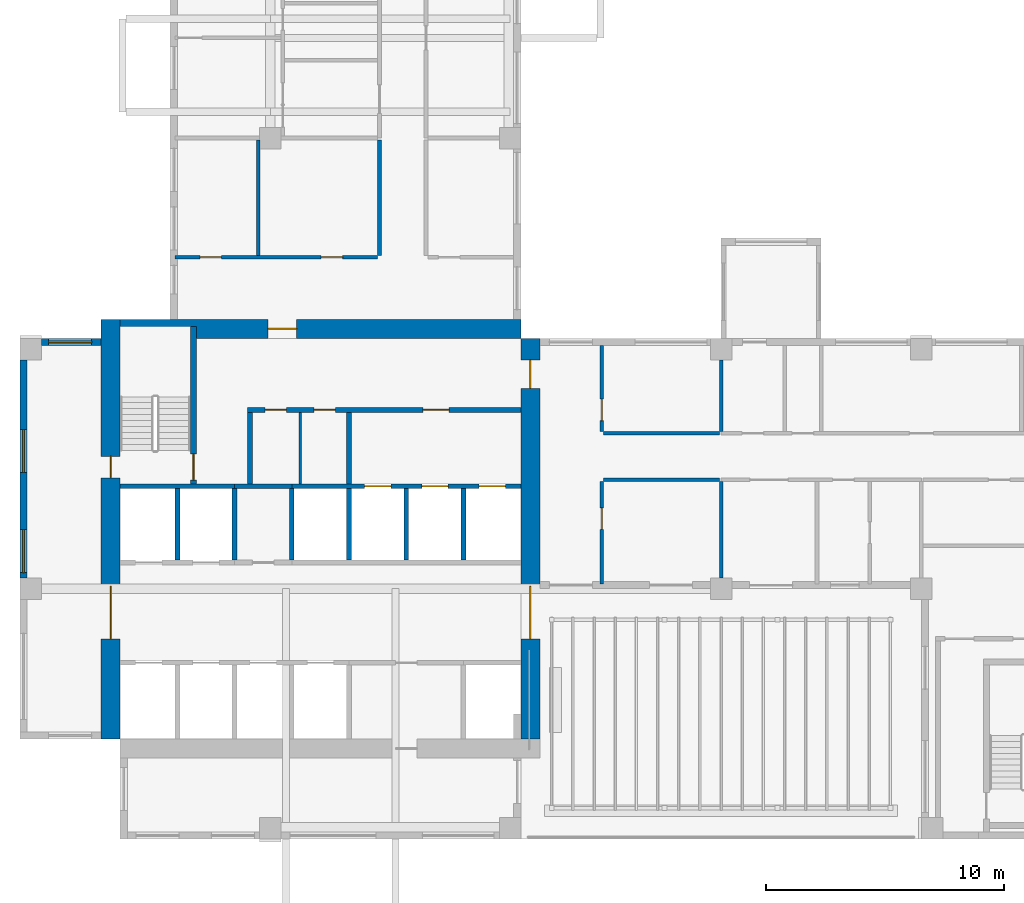
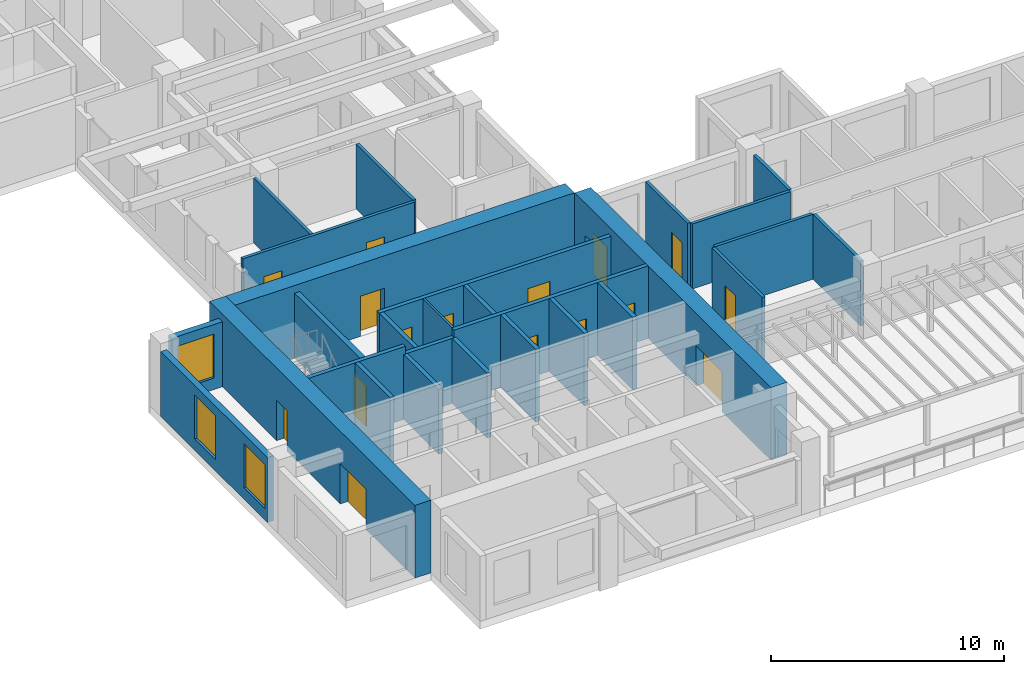
# One storey, part 4 of 13: 28 walls, 16 doors, 3 windows, 19 openings.
"""IFC4 building model written with IfcOpenShell, lengths in metres."""

from ifc_helpers import new_model, si_unit, direction, frame, frame_2d, origin, place, context, subcontext, project, spatial, rectangle, extrude, source, transform, mapped, material, layer, layer_set, type_object, element, fill, save


model = new_model("IFC4")

# Units and contexts
model_context = context("Model", 3, precision=1e-05, world=origin(), true_north=direction((0.0, 1.0)))
body_context = subcontext(model_context, "Body", "Model", "MODEL_VIEW")
ifc_project = project(units=[si_unit("LENGTHUNIT", "METRE"), si_unit("AREAUNIT", "SQUARE_METRE"), si_unit("VOLUMEUNIT", "CUBIC_METRE"), si_unit("PLANEANGLEUNIT", "RADIAN"), si_unit("MASSUNIT", "GRAM", prefix="KILO")], contexts=[model_context])

# Site, building, storey
site_placement = place(None, origin())
site = spatial("IfcSite", under=ifc_project, at=site_placement, CompositionType="ELEMENT")
building_placement = place(site_placement, origin())
building = spatial("IfcBuilding", under=site, at=building_placement, Name="Aurelian Terraces", CompositionType="ELEMENT")
storey_placement = place(building_placement, frame((0.0, 0.0, 204.4)))
storey = spatial("IfcBuildingStorey", under=building, at=storey_placement, Name="L45", CompositionType="ELEMENT", Elevation=204.4)

# Wall, openings, doors
ifc_material_1 = material(Name="Concrete fc' 70 MPa", Category="concrete")
ifc_layer_1 = layer(ifc_material_1, 0.8)
ifc_layer_set_1 = layer_set([ifc_layer_1], Name="CORE WALL 800 FC70")
wall_type_1 = type_object("IfcWallType", Name="CORE WALL 800 FC70", PredefinedType="SHEAR", material=ifc_layer_set_1)
shared_shape_1 = source(origin(), body_context, "Body", "SweptSolid", [
    extrude(rectangle(XDim=17.6, YDim=0.8, at=frame_2d((8.8, 0.0))), origin(), (0.0, 0.0, 1.0), 3.8),
])
wall_1_placement = place(storey_placement, frame((3.8, 4.2, 0.0), z_axis=(0.0, 0.0, 1.0), x_axis=(0.0, 1.0, 0.0)))
wall_1 = element("IfcWall", 1, at=wall_1_placement, inside=storey, type_object=wall_type_1, Name="Core wall W L45", PredefinedType="SHEAR", context=body_context, shape_type="MappedRepresentation", body=[
    mapped(shared_shape_1, transform((0.0, 0.0, 0.0), scale=1.0)),
])
shared_shape_2 = source(origin(), body_context, "Body", "SweptSolid", [
    extrude(rectangle(XDim=2.2, YDim=2.1, at=frame_2d((1.1, 1.05))), frame((0.0, 0.41, 0.0), z_axis=(0.0, -1.0, 0.0), x_axis=(1.0, 0.0, 0.0)), (0.0, 0.0, 1.0), 0.82),
])
opening_1_placement = place(wall_1_placement, frame((4.2, 0.0, 0.0)))
opening_1 = element("IfcOpeningElement", 2, at=opening_1_placement, cuts=wall_1, Name="Opening 64822", PredefinedType="OPENING", context=body_context, shape_type="MappedRepresentation", body=[
    mapped(shared_shape_2, transform((0.0, 0.0, 0.0), scale=1.0)),
])
shared_shape_3 = source(origin(), body_context, "Body", "SweptSolid", [
    extrude(rectangle(XDim=0.9, YDim=2.1, at=frame_2d((0.45, 1.05))), frame((0.0, 0.41, 0.0), z_axis=(0.0, -1.0, 0.0), x_axis=(1.0, 0.0, 0.0)), (0.0, 0.0, 1.0), 0.82),
])
opening_2_placement = place(wall_1_placement, frame((10.95, 0.0, 0.0)))
opening_2 = element("IfcOpeningElement", 3, at=opening_2_placement, cuts=wall_1, Name="Opening 64826", PredefinedType="OPENING", context=body_context, shape_type="MappedRepresentation", body=[
    mapped(shared_shape_3, transform((0.0, 0.0, 0.0), scale=1.0)),
])
ifc_material_2 = material(Name="Steel door leaf", Category="steel")
door_type_1 = type_object("IfcDoorType", Name="Core service door 900x2100 right", OperationType="SINGLE_SWING_RIGHT", PredefinedType="DOOR", material=ifc_material_2)
shared_shape_4 = source(origin(), body_context, "Body", "SweptSolid", [
    extrude(rectangle(XDim=0.9, YDim=2.1, at=frame_2d((0.45, 1.05))), frame((0.0, 0.025, 0.0), z_axis=(0.0, -1.0, 0.0), x_axis=(1.0, 0.0, 0.0)), (0.0, 0.0, 1.0), 0.05),
])
door_1_placement = place(opening_2_placement, origin())
door_1 = element("IfcDoor", 4, at=door_1_placement, inside=storey, type_object=door_type_1, Name="Core door 64826", OperationType="SINGLE_SWING_RIGHT", OverallHeight=2.1, OverallWidth=0.9, PredefinedType="DOOR", context=body_context, shape_type="MappedRepresentation", body=[
    mapped(shared_shape_4, transform((0.0, 0.0, 0.0), scale=1.0)),
])
fill(opening_2, door_1)
door_type_2 = type_object("IfcDoorType", Name="Core double door 2200x2100", OperationType="DOUBLE_DOOR_SINGLE_SWING", PredefinedType="DOOR", material=ifc_material_2)
shared_shape_5 = source(origin(), body_context, "Body", "SweptSolid", [
    extrude(rectangle(XDim=2.2, YDim=2.1, at=frame_2d((1.1, 1.05))), frame((0.0, 0.025, 0.0), z_axis=(0.0, -1.0, 0.0), x_axis=(1.0, 0.0, 0.0)), (0.0, 0.0, 1.0), 0.05),
])
door_2_placement = place(opening_1_placement, origin())
door_2 = element("IfcDoor", 5, at=door_2_placement, inside=storey, type_object=door_type_2, Name="Core door 64822", OperationType="DOUBLE_DOOR_SINGLE_SWING", OverallHeight=2.1, OverallWidth=2.2, PredefinedType="DOOR", context=body_context, shape_type="MappedRepresentation", body=[
    mapped(shared_shape_5, transform((0.0, 0.0, 0.0), scale=1.0)),
])
fill(opening_1, door_2)

shared_shape_6 = source(origin(), body_context, "Body", "SweptSolid", [
    extrude(rectangle(XDim=16.8, YDim=0.8, at=frame_2d((8.4, 0.0))), origin(), (0.0, 0.0, 1.0), 3.8),
])
wall_2_placement = place(storey_placement, frame((21.4, 4.2, 0.0), z_axis=(0.0, 0.0, 1.0), x_axis=(0.0, 1.0, 0.0)))
wall_2 = element("IfcWall", 6, at=wall_2_placement, inside=storey, type_object=wall_type_1, Name="Core wall E L45", PredefinedType="SHEAR", context=body_context, shape_type="MappedRepresentation", body=[
    mapped(shared_shape_6, transform((0.0, 0.0, 0.0), scale=1.0)),
])
opening_3_placement = place(wall_2_placement, frame((4.2, 0.0, 0.0)))
opening_3 = element("IfcOpeningElement", 7, at=opening_3_placement, cuts=wall_2, Name="Opening 64821", PredefinedType="OPENING", context=body_context, shape_type="MappedRepresentation", body=[
    mapped(shared_shape_2, transform((0.0, 0.0, 0.0), scale=1.0)),
])
shared_shape_7 = source(origin(), body_context, "Body", "SweptSolid", [
    extrude(rectangle(XDim=1.2, YDim=2.1, at=frame_2d((0.6, 1.05))), frame((0.0, 0.41, 0.0), z_axis=(0.0, -1.0, 0.0), x_axis=(1.0, 0.0, 0.0)), (0.0, 0.0, 1.0), 0.82),
])
opening_4_placement = place(wall_2_placement, frame((14.7, 0.0, 0.0)))
opening_4 = element("IfcOpeningElement", 8, at=opening_4_placement, cuts=wall_2, Name="Opening 64824", PredefinedType="OPENING", context=body_context, shape_type="MappedRepresentation", body=[
    mapped(shared_shape_7, transform((0.0, 0.0, 0.0), scale=1.0)),
])
door_type_3 = type_object("IfcDoorType", Name="Core fire door 1200x2100 right", OperationType="SINGLE_SWING_RIGHT", PredefinedType="DOOR", material=ifc_material_2)
shared_shape_8 = source(origin(), body_context, "Body", "SweptSolid", [
    extrude(rectangle(XDim=1.2, YDim=2.1, at=frame_2d((0.6, 1.05))), frame((0.0, 0.025, 0.0), z_axis=(0.0, -1.0, 0.0), x_axis=(1.0, 0.0, 0.0)), (0.0, 0.0, 1.0), 0.05),
])
door_3_placement = place(opening_4_placement, origin())
door_3 = element("IfcDoor", 9, at=door_3_placement, inside=storey, type_object=door_type_3, Name="Core door 64824", OperationType="SINGLE_SWING_RIGHT", OverallHeight=2.1, OverallWidth=1.2, PredefinedType="DOOR", context=body_context, shape_type="MappedRepresentation", body=[
    mapped(shared_shape_8, transform((0.0, 0.0, 0.0), scale=1.0)),
])
fill(opening_4, door_3)
door_4_placement = place(opening_3_placement, origin())
door_4 = element("IfcDoor", 10, at=door_4_placement, inside=storey, type_object=door_type_2, Name="Core door 64821", OperationType="DOUBLE_DOOR_SINGLE_SWING", OverallHeight=2.1, OverallWidth=2.2, PredefinedType="DOOR", context=body_context, shape_type="MappedRepresentation", body=[
    mapped(shared_shape_5, transform((0.0, 0.0, 0.0), scale=1.0)),
])
fill(opening_3, door_4)

# Wall, opening, door
wall_3_placement = place(storey_placement, frame((4.2, 21.4, 0.0), z_axis=(0.0, 0.0, 1.0), x_axis=(1.0, 0.0, 0.0)))
wall_3 = element("IfcWall", 11, at=wall_3_placement, inside=storey, type_object=wall_type_1, Name="Core wall N L45", PredefinedType="SHEAR", context=body_context, shape_type="MappedRepresentation", body=[
    mapped(shared_shape_6, transform((0.0, 0.0, 0.0), scale=1.0)),
])
opening_5_placement = place(wall_3_placement, frame((6.2, 0.0, 0.0)))
opening_5 = element("IfcOpeningElement", 12, at=opening_5_placement, cuts=wall_3, Name="Opening 64823", PredefinedType="OPENING", context=body_context, shape_type="MappedRepresentation", body=[
    mapped(shared_shape_7, transform((0.0, 0.0, 0.0), scale=1.0)),
])
door_type_4 = type_object("IfcDoorType", Name="Core fire door 1200x2100", OperationType="SINGLE_SWING_LEFT", PredefinedType="DOOR", material=ifc_material_2)
door_5_placement = place(opening_5_placement, origin())
door_5 = element("IfcDoor", 13, at=door_5_placement, inside=storey, type_object=door_type_4, Name="Core door 64823", OperationType="SINGLE_SWING_LEFT", OverallHeight=2.1, OverallWidth=1.2, PredefinedType="DOOR", context=body_context, shape_type="MappedRepresentation", body=[
    mapped(shared_shape_8, transform((0.0, 0.0, 0.0), scale=1.0)),
])
fill(opening_5, door_5)

# Wall, opening, window
ifc_material_3 = material(Name="Terracotta rainscreen cladding", Category="masonry")
ifc_layer_2 = layer(ifc_material_3, 0.3)
ifc_layer_set_2 = layer_set([ifc_layer_2], Name="EW-300")
wall_type_2 = type_object("IfcWallType", Name="EW-300", PredefinedType="STANDARD", material=ifc_layer_set_2)
shared_shape_9 = source(origin(), body_context, "Body", "SweptSolid", [
    extrude(rectangle(XDim=2.5, YDim=0.3, at=frame_2d((1.25, 0.0))), origin(), (0.0, 0.0, 1.0), 3.4),
])
wall_4_placement = place(storey_placement, frame((3.4, 20.85, 0.0), z_axis=(0.0, 0.0, 1.0), x_axis=(-1.0, 0.0, 0.0)))
wall_4 = element("IfcWall", 14, at=wall_4_placement, inside=storey, type_object=wall_type_2, Name="External wall L45 F23.35", PredefinedType="STANDARD", context=body_context, shape_type="MappedRepresentation", body=[
    mapped(shared_shape_9, transform((0.0, 0.0, 0.0), scale=1.0)),
])
shared_shape_10 = source(origin(), body_context, "Body", "SweptSolid", [
    extrude(rectangle(XDim=1.8, YDim=2.3, at=frame_2d((0.9, 1.15))), frame((0.0, 0.16, 0.0), z_axis=(0.0, -1.0, 0.0), x_axis=(1.0, 0.0, 0.0)), (0.0, 0.0, 1.0), 0.32),
])
opening_6_placement = place(wall_4_placement, frame((0.4, 0.0, 0.6)))
opening_6 = element("IfcOpeningElement", 15, at=opening_6_placement, cuts=wall_4, Name="Opening W1823", PredefinedType="OPENING", context=body_context, shape_type="MappedRepresentation", body=[
    mapped(shared_shape_10, transform((0.0, 0.0, 0.0), scale=1.0)),
])
ifc_material_4 = material(Name="Clear glazing", Category="glass")
window_type = type_object("IfcWindowType", Name="W-1800x2300", PartitioningType="SINGLE_PANEL", PredefinedType="WINDOW", material=ifc_material_4)
shared_shape_11 = source(origin(), body_context, "Body", "SweptSolid", [
    extrude(rectangle(XDim=1.8, YDim=2.3, at=frame_2d((0.9, 1.15))), frame((0.0, 0.03, 0.0), z_axis=(0.0, -1.0, 0.0), x_axis=(1.0, 0.0, 0.0)), (0.0, 0.0, 1.0), 0.06),
])
window_1_placement = place(opening_6_placement, origin())
window_1 = element("IfcWindow", 16, at=window_1_placement, inside=storey, type_object=window_type, Name="Window L45 L45-F23-35-0", OverallHeight=2.3, OverallWidth=1.8, PartitioningType="SINGLE_PANEL", PredefinedType="WINDOW", context=body_context, shape_type="MappedRepresentation", body=[
    mapped(shared_shape_11, transform((0.0, 0.0, 0.0), scale=1.0)),
])
fill(opening_6, window_1)

# Wall, openings, windows
shared_shape_12 = source(origin(), body_context, "Body", "SweptSolid", [
    extrude(rectangle(XDim=9.15, YDim=0.3, at=frame_2d((4.575, 0.0))), origin(), (0.0, 0.0, 1.0), 3.4),
])
wall_5_placement = place(storey_placement, frame((0.15, 20.1, 0.0), z_axis=(0.0, 0.0, 1.0), x_axis=(0.0, -1.0, 0.0)))
wall_5 = element("IfcWall", 17, at=wall_5_placement, inside=storey, type_object=wall_type_2, Name="External wall L45 F24.36", PredefinedType="STANDARD", context=body_context, shape_type="MappedRepresentation", body=[
    mapped(shared_shape_12, transform((0.0, 0.0, 0.0), scale=1.0)),
])
opening_7_placement = place(wall_5_placement, frame((2.925, 0.0, 0.6)))
opening_7 = element("IfcOpeningElement", 18, at=opening_7_placement, cuts=wall_5, Name="Opening W1823", PredefinedType="OPENING", context=body_context, shape_type="MappedRepresentation", body=[
    mapped(shared_shape_10, transform((0.0, 0.0, 0.0), scale=1.0)),
])
opening_8_placement = place(wall_5_placement, frame((7.125, 0.0, 0.6)))
opening_8 = element("IfcOpeningElement", 19, at=opening_8_placement, cuts=wall_5, Name="Opening W1823", PredefinedType="OPENING", context=body_context, shape_type="MappedRepresentation", body=[
    mapped(shared_shape_10, transform((0.0, 0.0, 0.0), scale=1.0)),
])
window_2_placement = place(opening_7_placement, origin())
window_2 = element("IfcWindow", 20, at=window_2_placement, inside=storey, type_object=window_type, Name="Window L45 L45-F24-36-1", OverallHeight=2.3, OverallWidth=1.8, PartitioningType="SINGLE_PANEL", PredefinedType="WINDOW", context=body_context, shape_type="MappedRepresentation", body=[
    mapped(shared_shape_11, transform((0.0, 0.0, 0.0), scale=1.0)),
])
fill(opening_7, window_2)
window_3_placement = place(opening_8_placement, origin())
window_3 = element("IfcWindow", 21, at=window_3_placement, inside=storey, type_object=window_type, Name="Window L45 L45-F24-36-2", OverallHeight=2.3, OverallWidth=1.8, PartitioningType="SINGLE_PANEL", PredefinedType="WINDOW", context=body_context, shape_type="MappedRepresentation", body=[
    mapped(shared_shape_11, transform((0.0, 0.0, 0.0), scale=1.0)),
])
fill(opening_8, window_3)

# Walls
ifc_material_5 = material(Name="Concrete fc' 40 MPa", Category="concrete")
ifc_layer_3 = layer(ifc_material_5, 0.2)
ifc_layer_set_3 = layer_set([ifc_layer_3], Name="Lift shaft wall 200")
wall_type_3 = type_object("IfcWallType", Name="Lift shaft wall 200", PredefinedType="SOLIDWALL", material=ifc_layer_set_3)
shared_shape_13 = source(origin(), body_context, "Body", "SweptSolid", [
    extrude(rectangle(XDim=3.0, YDim=0.2, at=frame_2d((1.5, 0.0))), origin(), (0.0, 0.0, 1.0), 3.4),
])
for number, where, z_axis, x_axis, name in (
    (22, (9.0, 11.7, 0.0), (0.0, 0.0, 1.0), (0.0, 1.0, 0.0), "L45 core wall CD-B2"),
    (23, (11.4, 11.7, 0.0), (0.0, 0.0, 1.0), (0.0, 1.0, 0.0), "L45 core wall CD-B3"),
):
    element("IfcWall", number, at=place(storey_placement, frame(where, z_axis=z_axis, x_axis=x_axis)), inside=storey, type_object=wall_type_3, Name=name, PredefinedType="SOLIDWALL", context=body_context, shape_type="MappedRepresentation", body=[
        mapped(shared_shape_13, transform((0.0, 0.0, 0.0), scale=1.0)),
    ])
shared_shape_14 = source(origin(), body_context, "Body", "SweptSolid", [
    extrude(rectangle(XDim=3.0, YDim=0.2, at=frame_2d((1.5, 0.0))), origin(), (0.0, 0.0, 1.0), 3.8),
])
for number, where, z_axis, x_axis, name in (
    (24, (6.6, 11.7, 0.0), (0.0, 0.0, 1.0), (0.0, 1.0, 0.0), "L45 core wall CD-B1"),
    (25, (13.8, 11.7, 0.0), (0.0, 0.0, 1.0), (0.0, 1.0, 0.0), "L45 core wall CD-B4"),
    (26, (16.2, 11.7, 0.0), (0.0, 0.0, 1.0), (0.0, 1.0, 0.0), "L45 core wall CD-B5"),
    (27, (18.6, 11.7, 0.0), (0.0, 0.0, 1.0), (0.0, 1.0, 0.0), "L45 core wall CD-B6"),
):
    element("IfcWall", number, at=place(storey_placement, frame(where, z_axis=z_axis, x_axis=x_axis)), inside=storey, type_object=wall_type_3, Name=name, PredefinedType="SOLIDWALL", context=body_context, shape_type="MappedRepresentation", body=[
        mapped(shared_shape_14, transform((0.0, 0.0, 0.0), scale=1.0)),
    ])

# Wall, openings, doors
shared_shape_15 = source(origin(), body_context, "Body", "SweptSolid", [
    extrude(rectangle(XDim=9.6, YDim=0.2, at=frame_2d((4.8, 0.0))), origin(), (0.0, 0.0, 1.0), 3.8),
])
wall_6_placement = place(storey_placement, frame((11.4, 14.8, 0.0), z_axis=(0.0, 0.0, 1.0), x_axis=(1.0, 0.0, 0.0)))
wall_6 = element("IfcWall", 28, at=wall_6_placement, inside=storey, type_object=wall_type_3, Name="L45 core wall CF-BB3", PredefinedType="SOLIDWALL", context=body_context, shape_type="MappedRepresentation", body=[
    mapped(shared_shape_15, transform((0.0, 0.0, 0.0), scale=1.0)),
])
shared_shape_16 = source(origin(), body_context, "Body", "SweptSolid", [
    extrude(rectangle(XDim=1.1, YDim=2.1, at=frame_2d((0.55, 1.05))), frame((0.0, 0.11, 0.0), z_axis=(0.0, -1.0, 0.0), x_axis=(1.0, 0.0, 0.0)), (0.0, 0.0, 1.0), 0.22),
])
opening_9_placement = place(wall_6_placement, frame((3.05, 0.0, 0.0)))
opening_9 = element("IfcOpeningElement", 29, at=opening_9_placement, cuts=wall_6, Name="Opening 64808", PredefinedType="OPENING", context=body_context, shape_type="MappedRepresentation", body=[
    mapped(shared_shape_16, transform((0.0, 0.0, 0.0), scale=1.0)),
])
opening_10_placement = place(wall_6_placement, frame((5.45, 0.0, 0.0)))
opening_10 = element("IfcOpeningElement", 30, at=opening_10_placement, cuts=wall_6, Name="Opening 64809", PredefinedType="OPENING", context=body_context, shape_type="MappedRepresentation", body=[
    mapped(shared_shape_16, transform((0.0, 0.0, 0.0), scale=1.0)),
])
opening_11_placement = place(wall_6_placement, frame((7.85, 0.0, 0.0)))
opening_11 = element("IfcOpeningElement", 31, at=opening_11_placement, cuts=wall_6, Name="Opening 64810", PredefinedType="OPENING", context=body_context, shape_type="MappedRepresentation", body=[
    mapped(shared_shape_16, transform((0.0, 0.0, 0.0), scale=1.0)),
])
ifc_material_6 = material(Name="Stainless steel", Category="steel")
door_type_5 = type_object("IfcDoorType", Name="Lift landing door 1100x2100", OperationType="SLIDING_TO_LEFT", PredefinedType="DOOR", material=ifc_material_6)
shared_shape_17 = source(origin(), body_context, "Body", "SweptSolid", [
    extrude(rectangle(XDim=1.1, YDim=2.1, at=frame_2d((0.55, 1.05))), frame((0.0, 0.025, 0.0), z_axis=(0.0, -1.0, 0.0), x_axis=(1.0, 0.0, 0.0)), (0.0, 0.0, 1.0), 0.05),
])
door_6_placement = place(opening_9_placement, origin())
door_6 = element("IfcDoor", 32, at=door_6_placement, inside=storey, type_object=door_type_5, Name="Lift landing door F1 L45", OperationType="SLIDING_TO_LEFT", OverallHeight=2.1, OverallWidth=1.1, PredefinedType="DOOR", context=body_context, shape_type="MappedRepresentation", body=[
    mapped(shared_shape_17, transform((0.0, 0.0, 0.0), scale=1.0)),
])
fill(opening_9, door_6)
door_7_placement = place(opening_10_placement, origin())
door_7 = element("IfcDoor", 33, at=door_7_placement, inside=storey, type_object=door_type_5, Name="Lift landing door F2 L45", OperationType="SLIDING_TO_LEFT", OverallHeight=2.1, OverallWidth=1.1, PredefinedType="DOOR", context=body_context, shape_type="MappedRepresentation", body=[
    mapped(shared_shape_17, transform((0.0, 0.0, 0.0), scale=1.0)),
])
fill(opening_10, door_7)
door_8_placement = place(opening_11_placement, origin())
door_8 = element("IfcDoor", 34, at=door_8_placement, inside=storey, type_object=door_type_5, Name="Lift landing door F3 L45", OperationType="SLIDING_TO_LEFT", OverallHeight=2.1, OverallWidth=1.1, PredefinedType="DOOR", context=body_context, shape_type="MappedRepresentation", body=[
    mapped(shared_shape_17, transform((0.0, 0.0, 0.0), scale=1.0)),
])
fill(opening_11, door_8)

# Walls
shared_shape_18 = source(origin(), body_context, "Body", "SweptSolid", [
    extrude(rectangle(XDim=4.8, YDim=0.2, at=frame_2d((2.4, 0.0))), origin(), (0.0, 0.0, 1.0), 3.8),
])
wall_7_placement = place(storey_placement, frame((4.2, 14.8, 0.0), z_axis=(0.0, 0.0, 1.0), x_axis=(1.0, 0.0, 0.0)))
element("IfcWall", 35, at=wall_7_placement, inside=storey, type_object=wall_type_3, Name="L45 core wall CF-BB1", PredefinedType="SOLIDWALL", context=body_context, shape_type="MappedRepresentation", body=[
    mapped(shared_shape_18, transform((0.0, 0.0, 0.0), scale=1.0)),
])
shared_shape_19 = source(origin(), body_context, "Body", "SweptSolid", [
    extrude(rectangle(XDim=2.4, YDim=0.2, at=frame_2d((1.2, 0.0))), origin(), (0.0, 0.0, 1.0), 3.4),
])
wall_8_placement = place(storey_placement, frame((9.0, 14.8, 0.0), z_axis=(0.0, 0.0, 1.0), x_axis=(1.0, 0.0, 0.0)))
element("IfcWall", 36, at=wall_8_placement, inside=storey, type_object=wall_type_3, Name="L45 core wall CF-BB2", PredefinedType="SOLIDWALL", context=body_context, shape_type="MappedRepresentation", body=[
    mapped(shared_shape_19, transform((0.0, 0.0, 0.0), scale=1.0)),
])
ifc_material_7 = material(Name="Gypsum board on steel studs", Category="steel")
ifc_layer_4 = layer(ifc_material_7, 0.2)
ifc_layer_set_4 = layer_set([ifc_layer_4], Name="Core partition 200")
wall_type_4 = type_object("IfcWallType", Name="Core partition 200", PredefinedType="PARTITIONING", material=ifc_layer_set_4)
shared_shape_20 = source(origin(), body_context, "Body", "SweptSolid", [
    extrude(rectangle(XDim=3.0, YDim=0.2, at=frame_2d((1.5, 0.0))), origin(), (0.0, 0.0, 1.0), 3.4),
])
for number, where, z_axis, x_axis, name in (
    (37, (9.65, 14.9, 0.0), (0.0, 0.0, 1.0), (0.0, 1.0, 0.0), "L45 core wall CP-VEST"),
    (38, (13.8, 14.9, 0.0), (0.0, 0.0, 1.0), (0.0, 1.0, 0.0), "L45 core wall CP-FFL"),
):
    element("IfcWall", number, at=place(storey_placement, frame(where, z_axis=z_axis, x_axis=x_axis)), inside=storey, type_object=wall_type_4, Name=name, PredefinedType="PARTITIONING", context=body_context, shape_type="MappedRepresentation", body=[
        mapped(shared_shape_20, transform((0.0, 0.0, 0.0), scale=1.0)),
    ])
ifc_layer_5 = layer(ifc_material_7, 0.1)
ifc_layer_set_5 = layer_set([ifc_layer_5], Name="Core partition 100")
wall_type_5 = type_object("IfcWallType", Name="Core partition 100", PredefinedType="PARTITIONING", material=ifc_layer_set_5)
shared_shape_21 = source(origin(), body_context, "Body", "SweptSolid", [
    extrude(rectangle(XDim=3.0, YDim=0.1, at=frame_2d((1.5, 0.0))), origin(), (0.0, 0.0, 1.0), 3.4),
])
wall_9_placement = place(storey_placement, frame((11.75, 14.9, 0.0), z_axis=(0.0, 0.0, 1.0), x_axis=(0.0, 1.0, 0.0)))
element("IfcWall", 39, at=wall_9_placement, inside=storey, type_object=wall_type_5, Name="L45 core wall CP-SV1", PredefinedType="PARTITIONING", context=body_context, shape_type="MappedRepresentation", body=[
    mapped(shared_shape_21, transform((0.0, 0.0, 0.0), scale=1.0)),
])

# Wall, opening, door
ifc_layer_6 = layer(ifc_material_5, 0.25)
ifc_layer_set_6 = layer_set([ifc_layer_6], Name="Stair enclosure wall 250")
wall_type_6 = type_object("IfcWallType", Name="Stair enclosure wall 250", PredefinedType="SOLIDWALL", material=ifc_layer_set_6)
shared_shape_22 = source(origin(), body_context, "Body", "SweptSolid", [
    extrude(rectangle(XDim=6.6, YDim=0.25, at=frame_2d((3.3, 0.0))), origin(), (0.0, 0.0, 1.0), 3.4),
])
wall_10_placement = place(storey_placement, frame((7.275, 14.9, 0.0), z_axis=(0.0, 0.0, 1.0), x_axis=(0.0, 1.0, 0.0)))
wall_10 = element("IfcWall", 40, at=wall_10_placement, inside=storey, type_object=wall_type_6, Name="L45 core wall ST-S1-E", PredefinedType="SOLIDWALL", context=body_context, shape_type="MappedRepresentation", body=[
    mapped(shared_shape_22, transform((0.0, 0.0, 0.0), scale=1.0)),
])
shared_shape_23 = source(origin(), body_context, "Body", "SweptSolid", [
    extrude(rectangle(XDim=1.1, YDim=2.1, at=frame_2d((0.55, 1.05))), frame((0.0, 0.135, 0.0), z_axis=(0.0, -1.0, 0.0), x_axis=(1.0, 0.0, 0.0)), (0.0, 0.0, 1.0), 0.27),
])
opening_12_placement = place(wall_10_placement, frame((0.15, 0.0, 0.0)))
opening_12 = element("IfcOpeningElement", 41, at=opening_12_placement, cuts=wall_10, Name="Opening 64811", PredefinedType="OPENING", context=body_context, shape_type="MappedRepresentation", body=[
    mapped(shared_shape_23, transform((0.0, 0.0, 0.0), scale=1.0)),
])
door_type_6 = type_object("IfcDoorType", Name="Core fire door 1100x2100 right", OperationType="SINGLE_SWING_RIGHT", PredefinedType="DOOR", material=ifc_material_2)
door_9_placement = place(opening_12_placement, origin())
door_9 = element("IfcDoor", 42, at=door_9_placement, inside=storey, type_object=door_type_6, Name="Stair door 64811", OperationType="SINGLE_SWING_RIGHT", OverallHeight=2.1, OverallWidth=1.1, PredefinedType="DOOR", context=body_context, shape_type="MappedRepresentation", body=[
    mapped(shared_shape_17, transform((0.0, 0.0, 0.0), scale=1.0)),
])
fill(opening_12, door_9)

# Wall, openings, doors
shared_shape_24 = source(origin(), body_context, "Body", "SweptSolid", [
    extrude(rectangle(XDim=11.45, YDim=0.2, at=frame_2d((5.725, 0.0))), origin(), (0.0, 0.0, 1.0), 3.4),
])
wall_11_placement = place(storey_placement, frame((9.55, 18.0, 0.0), z_axis=(0.0, 0.0, 1.0), x_axis=(1.0, 0.0, 0.0)))
wall_11 = element("IfcWall", 43, at=wall_11_placement, inside=storey, type_object=wall_type_4, Name="L45 core wall CP-NORTH", PredefinedType="PARTITIONING", context=body_context, shape_type="MappedRepresentation", body=[
    mapped(shared_shape_24, transform((0.0, 0.0, 0.0), scale=1.0)),
])
shared_shape_25 = source(origin(), body_context, "Body", "SweptSolid", [
    extrude(rectangle(XDim=0.9, YDim=2.1, at=frame_2d((0.45, 1.05))), frame((0.0, 0.11, 0.0), z_axis=(0.0, -1.0, 0.0), x_axis=(1.0, 0.0, 0.0)), (0.0, 0.0, 1.0), 0.22),
])
opening_13_placement = place(wall_11_placement, frame((0.725, 0.0, 0.0)))
opening_13 = element("IfcOpeningElement", 44, at=opening_13_placement, cuts=wall_11, Name="Opening 64812", PredefinedType="OPENING", context=body_context, shape_type="MappedRepresentation", body=[
    mapped(shared_shape_25, transform((0.0, 0.0, 0.0), scale=1.0)),
])
opening_14_placement = place(wall_11_placement, frame((2.775, 0.0, 0.0)))
opening_14 = element("IfcOpeningElement", 45, at=opening_14_placement, cuts=wall_11, Name="Opening 64813", PredefinedType="OPENING", context=body_context, shape_type="MappedRepresentation", body=[
    mapped(shared_shape_25, transform((0.0, 0.0, 0.0), scale=1.0)),
])
opening_15_placement = place(wall_11_placement, frame((7.35, 0.0, 0.0)))
opening_15 = element("IfcOpeningElement", 46, at=opening_15_placement, cuts=wall_11, Name="Opening 64814", PredefinedType="OPENING", context=body_context, shape_type="MappedRepresentation", body=[
    mapped(shared_shape_16, transform((0.0, 0.0, 0.0), scale=1.0)),
])
door_type_7 = type_object("IfcDoorType", Name="Core service door 900x2100", OperationType="SINGLE_SWING_LEFT", PredefinedType="DOOR", material=ifc_material_2)
door_10_placement = place(opening_13_placement, origin())
door_10 = element("IfcDoor", 47, at=door_10_placement, inside=storey, type_object=door_type_7, Name="Room door 64812", OperationType="SINGLE_SWING_LEFT", OverallHeight=2.1, OverallWidth=0.9, PredefinedType="DOOR", context=body_context, shape_type="MappedRepresentation", body=[
    mapped(shared_shape_4, transform((0.0, 0.0, 0.0), scale=1.0)),
])
fill(opening_13, door_10)
door_11_placement = place(opening_14_placement, origin())
door_11 = element("IfcDoor", 48, at=door_11_placement, inside=storey, type_object=door_type_1, Name="Room door 64813", OperationType="SINGLE_SWING_RIGHT", OverallHeight=2.1, OverallWidth=0.9, PredefinedType="DOOR", context=body_context, shape_type="MappedRepresentation", body=[
    mapped(shared_shape_4, transform((0.0, 0.0, 0.0), scale=1.0)),
])
fill(opening_14, door_11)
door_type_8 = type_object("IfcDoorType", Name="Core fire door 1100x2100", OperationType="SINGLE_SWING_LEFT", PredefinedType="DOOR", material=ifc_material_2)
door_12_placement = place(opening_15_placement, origin())
door_12 = element("IfcDoor", 49, at=door_12_placement, inside=storey, type_object=door_type_8, Name="Ff lobby door 64814", OperationType="SINGLE_SWING_LEFT", OverallHeight=2.1, OverallWidth=1.1, PredefinedType="DOOR", context=body_context, shape_type="MappedRepresentation", body=[
    mapped(shared_shape_17, transform((0.0, 0.0, 0.0), scale=1.0)),
])
fill(opening_15, door_12)

# Wall, opening, door
ifc_layer_7 = layer(ifc_material_7, 0.15)
ifc_layer_set_7 = layer_set([ifc_layer_7], Name="Partition 150")
wall_type_7 = type_object("IfcWallType", Name="Partition 150", PredefinedType="PARTITIONING", material=ifc_layer_set_7)
shared_shape_26 = source(origin(), body_context, "Body", "SweptSolid", [
    extrude(rectangle(XDim=3.6, YDim=0.15, at=frame_2d((1.8, 0.0))), origin(), (0.0, 0.0, 1.0), 3.4),
])
wall_12_placement = place(storey_placement, frame((24.4, 20.7, 0.0), z_axis=(0.0, 0.0, 1.0), x_axis=(0.0, -1.0, 0.0)))
wall_12 = element("IfcWall", 50, at=wall_12_placement, inside=storey, type_object=wall_type_7, Name="Partition", PredefinedType="PARTITIONING", context=body_context, shape_type="MappedRepresentation", body=[
    mapped(shared_shape_26, transform((0.0, 0.0, 0.0), scale=1.0)),
])
shared_shape_27 = source(origin(), body_context, "Body", "SweptSolid", [
    extrude(rectangle(XDim=0.9, YDim=2.1, at=frame_2d((0.45, 1.05))), frame((0.0, 0.085, 0.0), z_axis=(0.0, -1.0, 0.0), x_axis=(1.0, 0.0, 0.0)), (0.0, 0.0, 1.0), 0.17),
])
opening_16_placement = place(wall_12_placement, frame((2.25, 0.0, 0.0)))
opening_16 = element("IfcOpeningElement", 51, at=opening_16_placement, cuts=wall_12, Name="Opening 745002", PredefinedType="OPENING", context=body_context, shape_type="MappedRepresentation", body=[
    mapped(shared_shape_27, transform((0.0, 0.0, 0.0), scale=1.0)),
])
ifc_material_8 = material(Name="Timber door leaf", Category="wood")
door_type_9 = type_object("IfcDoorType", Name="Room door 900x2100 left", OperationType="SINGLE_SWING_LEFT", PredefinedType="DOOR", material=ifc_material_8)
door_13_placement = place(opening_16_placement, origin())
door_13 = element("IfcDoor", 52, at=door_13_placement, inside=storey, type_object=door_type_9, Name="Door 745002", OperationType="SINGLE_SWING_LEFT", OverallHeight=2.1, OverallWidth=0.9, PredefinedType="DOOR", context=body_context, shape_type="MappedRepresentation", body=[
    mapped(shared_shape_4, transform((0.0, 0.0, 0.0), scale=1.0)),
])
fill(opening_16, door_13)

# Walls
shared_shape_28 = source(origin(), body_context, "Body", "SweptSolid", [
    extrude(rectangle(XDim=4.051, YDim=0.15, at=frame_2d((2.0255, 0.0))), origin(), (0.0, 0.0, 1.0), 3.4),
])
wall_13_placement = place(storey_placement, frame((29.4, 10.949, 0.0), z_axis=(0.0, 0.0, 1.0), x_axis=(0.0, 1.0, 0.0)))
element("IfcWall", 53, at=wall_13_placement, inside=storey, type_object=wall_type_7, Name="Partition", PredefinedType="PARTITIONING", context=body_context, shape_type="MappedRepresentation", body=[
    mapped(shared_shape_28, transform((0.0, 0.0, 0.0), scale=1.0)),
])
shared_shape_29 = source(origin(), body_context, "Body", "SweptSolid", [
    extrude(rectangle(XDim=3.001, YDim=0.15, at=frame_2d((1.5005, 0.0))), origin(), (0.0, 0.0, 1.0), 3.4),
])
wall_14_placement = place(storey_placement, frame((29.4, 17.1, 0.0), z_axis=(0.0, 0.0, 1.0), x_axis=(0.0, 1.0, 0.0)))
element("IfcWall", 54, at=wall_14_placement, inside=storey, type_object=wall_type_7, Name="Partition", PredefinedType="PARTITIONING", context=body_context, shape_type="MappedRepresentation", body=[
    mapped(shared_shape_29, transform((0.0, 0.0, 0.0), scale=1.0)),
])

# Wall, openings, doors
shared_shape_30 = source(origin(), body_context, "Body", "SweptSolid", [
    extrude(rectangle(XDim=8.495, YDim=0.15, at=frame_2d((4.2475, 0.0))), origin(), (0.0, 0.0, 1.0), 3.4),
])
wall_15_placement = place(storey_placement, frame((6.505, 24.4, 0.0), z_axis=(0.0, 0.0, 1.0), x_axis=(1.0, 0.0, 0.0)))
wall_15 = element("IfcWall", 55, at=wall_15_placement, inside=storey, type_object=wall_type_7, Name="Partition", PredefinedType="PARTITIONING", context=body_context, shape_type="MappedRepresentation", body=[
    mapped(shared_shape_30, transform((0.0, 0.0, 0.0), scale=1.0)),
])
opening_17_placement = place(wall_15_placement, frame((1.045, 0.0, 0.0)))
opening_17 = element("IfcOpeningElement", 56, at=opening_17_placement, cuts=wall_15, Name="Opening 745015", PredefinedType="OPENING", context=body_context, shape_type="MappedRepresentation", body=[
    mapped(shared_shape_27, transform((0.0, 0.0, 0.0), scale=1.0)),
])
opening_18_placement = place(wall_15_placement, frame((6.12, 0.0, 0.0)))
opening_18 = element("IfcOpeningElement", 57, at=opening_18_placement, cuts=wall_15, Name="Opening 745016", PredefinedType="OPENING", context=body_context, shape_type="MappedRepresentation", body=[
    mapped(shared_shape_27, transform((0.0, 0.0, 0.0), scale=1.0)),
])
door_14_placement = place(opening_17_placement, origin())
door_14 = element("IfcDoor", 58, at=door_14_placement, inside=storey, type_object=door_type_9, Name="Door 745015", OperationType="SINGLE_SWING_LEFT", OverallHeight=2.1, OverallWidth=0.9, PredefinedType="DOOR", context=body_context, shape_type="MappedRepresentation", body=[
    mapped(shared_shape_4, transform((0.0, 0.0, 0.0), scale=1.0)),
])
fill(opening_17, door_14)
door_type_10 = type_object("IfcDoorType", Name="Room door 900x2100 right", OperationType="SINGLE_SWING_RIGHT", PredefinedType="DOOR", material=ifc_material_8)
door_15_placement = place(opening_18_placement, origin())
door_15 = element("IfcDoor", 59, at=door_15_placement, inside=storey, type_object=door_type_10, Name="Door 745016", OperationType="SINGLE_SWING_RIGHT", OverallHeight=2.1, OverallWidth=0.9, PredefinedType="DOOR", context=body_context, shape_type="MappedRepresentation", body=[
    mapped(shared_shape_4, transform((0.0, 0.0, 0.0), scale=1.0)),
])
fill(opening_18, door_15)

# Wall, opening, door
shared_shape_31 = source(origin(), body_context, "Body", "SweptSolid", [
    extrude(rectangle(XDim=4.295, YDim=0.15, at=frame_2d((2.1475, 0.0))), origin(), (0.0, 0.0, 1.0), 3.4),
])
wall_16_placement = place(storey_placement, frame((24.4, 15.0, 0.0), z_axis=(0.0, 0.0, 1.0), x_axis=(0.0, -1.0, 0.0)))
wall_16 = element("IfcWall", 60, at=wall_16_placement, inside=storey, type_object=wall_type_7, Name="Partition", PredefinedType="PARTITIONING", context=body_context, shape_type="MappedRepresentation", body=[
    mapped(shared_shape_31, transform((0.0, 0.0, 0.0), scale=1.0)),
])
opening_19_placement = place(wall_16_placement, frame((1.1125, 0.0, 0.0)))
opening_19 = element("IfcOpeningElement", 61, at=opening_19_placement, cuts=wall_16, Name="Opening 745001", PredefinedType="OPENING", context=body_context, shape_type="MappedRepresentation", body=[
    mapped(shared_shape_27, transform((0.0, 0.0, 0.0), scale=1.0)),
])
door_16_placement = place(opening_19_placement, origin())
door_16 = element("IfcDoor", 62, at=door_16_placement, inside=storey, type_object=door_type_10, Name="Door 745001", OperationType="SINGLE_SWING_RIGHT", OverallHeight=2.1, OverallWidth=0.9, PredefinedType="DOOR", context=body_context, shape_type="MappedRepresentation", body=[
    mapped(shared_shape_4, transform((0.0, 0.0, 0.0), scale=1.0)),
])
fill(opening_19, door_16)

# Walls
ifc_layer_8 = layer(ifc_material_7, 0.15)
ifc_layer_set_8 = layer_set([ifc_layer_8], Name="Fire partition 150")
wall_type_8 = type_object("IfcWallType", Name="Fire partition 150", PredefinedType="PARTITIONING", material=ifc_layer_set_8)
shared_shape_32 = source(origin(), body_context, "Body", "SweptSolid", [
    extrude(rectangle(XDim=4.85, YDim=0.15, at=frame_2d((2.425, 0.0))), origin(), (0.0, 0.0, 1.0), 3.4),
])
for number, where, z_axis, x_axis, name in (
    (63, (29.325, 15.075, 0.0), (0.0, 0.0, 1.0), (-1.0, 0.0, 0.0), "Corridor wall"),
    (64, (24.475, 17.025, 0.0), (0.0, 0.0, 1.0), (1.0, 0.0, 0.0), "Corridor wall"),
):
    element("IfcWall", number, at=place(storey_placement, frame(where, z_axis=z_axis, x_axis=x_axis)), inside=storey, type_object=wall_type_8, Name=name, PredefinedType="PARTITIONING", context=body_context, shape_type="MappedRepresentation", body=[
        mapped(shared_shape_32, transform((0.0, 0.0, 0.0), scale=1.0)),
    ])
wall_17_placement = place(storey_placement, frame((10.0, 24.475, 0.0), z_axis=(0.0, 0.0, 1.0), x_axis=(0.0, 1.0, 0.0)))
element("IfcWall", 65, at=wall_17_placement, inside=storey, type_object=wall_type_7, Name="Partition", PredefinedType="PARTITIONING", context=body_context, shape_type="MappedRepresentation", body=[
    mapped(shared_shape_32, transform((0.0, 0.0, 0.0), scale=1.0)),
])
wall_18_placement = place(storey_placement, frame((15.075, 24.475, 0.0), z_axis=(0.0, 0.0, 1.0), x_axis=(0.0, 1.0, 0.0)))
element("IfcWall", 66, at=wall_18_placement, inside=storey, type_object=wall_type_8, Name="Corridor wall", PredefinedType="PARTITIONING", context=body_context, shape_type="MappedRepresentation", body=[
    mapped(shared_shape_32, transform((0.0, 0.0, 0.0), scale=1.0)),
])

save(model, "model.ifc")
